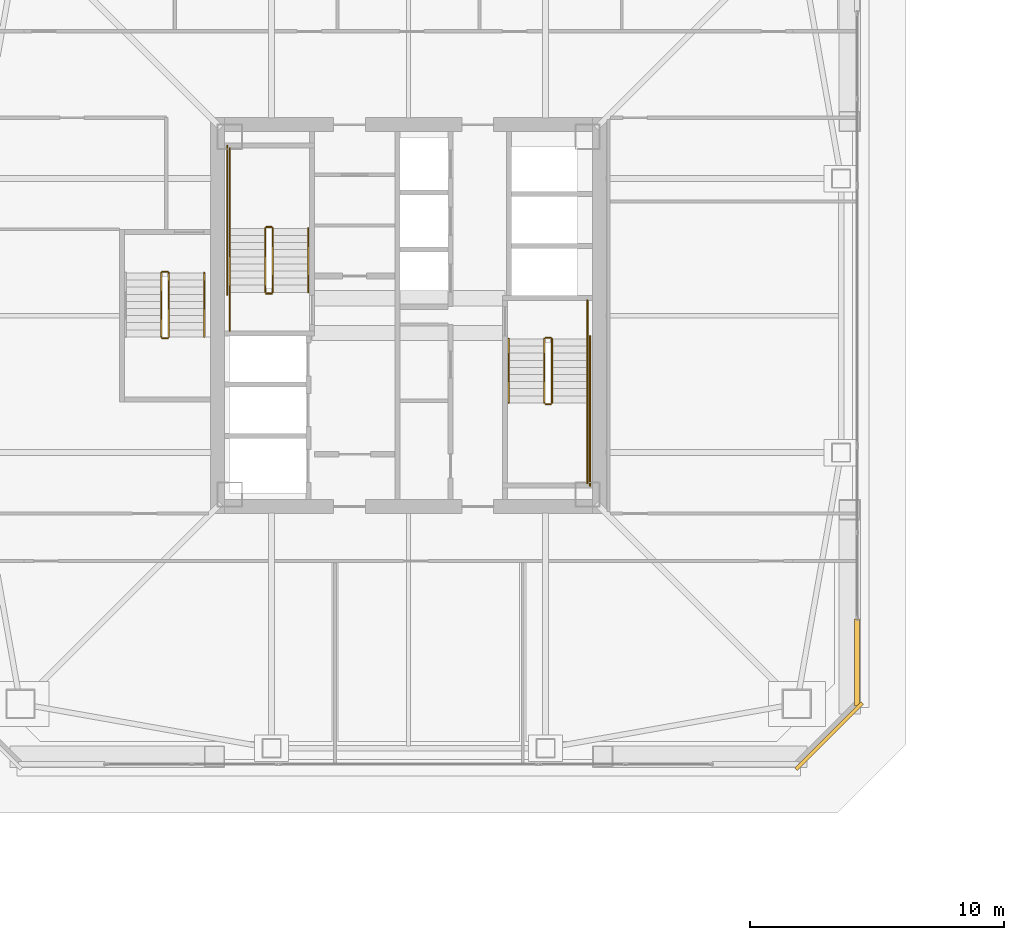
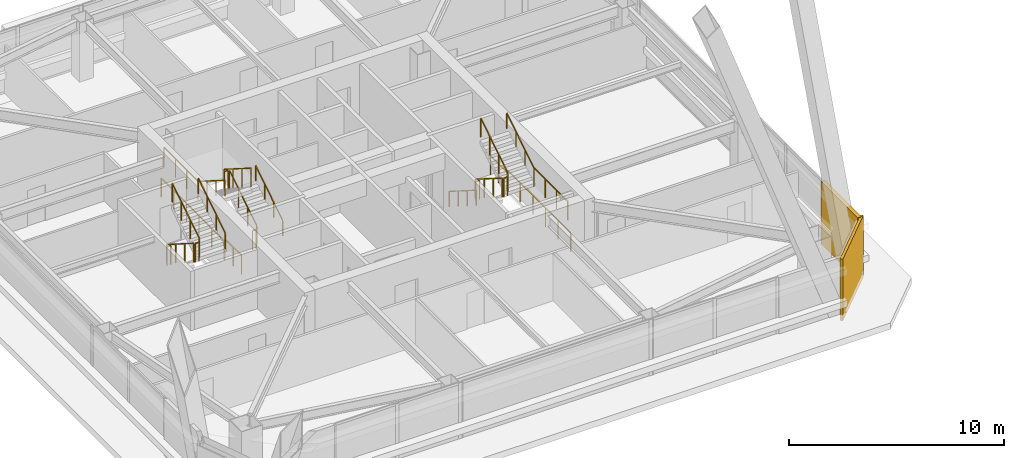
# One storey, part 61 of 65: 23 railings, 2 coverings.
"""IFC4 building model written with IfcOpenShell, lengths in metres."""

import ifcopenshell
import ifcopenshell.guid

model = None  # the IFC model being written
_history = None  # IfcOwnerHistory: only IFC2X3 demands one
_inside = {}  # id of a spatial element -> (the spatial element, [elements in it])
_under = {}  # id of a project, library or spatial element -> (it, [spatial elements below it])
_declared = {}  # id of a project -> (the project, [libraries it declares])
_typed = {}  # id of a type object -> (the type object, [elements of that type])
_made_of = {}  # id of a material, layer set ... -> (it, [elements and type objects made of it])


def new_model(schema):
    """Start an empty IFC model of exactly this schema.

    Asked for "IFC4X3", IfcOpenShell would pick the latest addendum, in which some entities
    have other attributes; the version numbers below select the first issue.
    IFC2X3 requires an IfcOwnerHistory on every rooted entity: one is made here for all.
    """
    global model, _history
    if schema == "IFC4X3":
        model = ifcopenshell.file(schema_version=(4, 3, 0, 0))
    else:
        model = ifcopenshell.file(schema=schema)
    _inside.clear()
    _under.clear()
    _declared.clear()
    _typed.clear()
    _made_of.clear()
    _history = None
    if model.schema == "IFC2X3":
        org = make("IfcOrganization", Name="unknown")
        user = make(
            "IfcPersonAndOrganization",
            ThePerson=make("IfcPerson", FamilyName="unknown"),
            TheOrganization=org,
        )
        app = make(
            "IfcApplication",
            ApplicationDeveloper=org,
            Version="unknown",
            ApplicationFullName="unknown",
            ApplicationIdentifier="unknown",
        )
        _history = make(
            "IfcOwnerHistory",
            OwningUser=user,
            OwningApplication=app,
            ChangeAction="ADDED",
            CreationDate=0,
        )
    return model


def make(cls, **values):
    """One entity of the class cls with the attributes given. An attribute that is None is left unset."""
    return model.create_entity(
        cls, **{name: value for name, value in values.items() if value is not None}
    )


def rooted(cls, **values):
    """An entity with a GlobalId (a new one), such as an element, a storey or a relation."""
    return make(cls, GlobalId=ifcopenshell.guid.new(), OwnerHistory=_history, **values)


def si_unit(unit_type, name, prefix=None):
    """IfcSIUnit, for example si_unit("LENGTHUNIT", "METRE", prefix="MILLI")."""
    return make("IfcSIUnit", UnitType=unit_type, Prefix=prefix, Name=name)


def assignment(units):
    """IfcUnitAssignment: the units of a project."""
    return None if units is None else make("IfcUnitAssignment", Units=units)


def point(xyz):
    """IfcCartesianPoint."""
    return None if xyz is None else make("IfcCartesianPoint", Coordinates=xyz)


def direction(xyz):
    """IfcDirection."""
    return None if xyz is None else make("IfcDirection", DirectionRatios=xyz)


def frame(location, z_axis=None, x_axis=None):
    """IfcAxis2Placement3D, a coordinate frame: its origin and axes. An axis left out is left unset."""
    return make(
        "IfcAxis2Placement3D",
        Location=point(location),
        Axis=direction(z_axis),
        RefDirection=direction(x_axis),
    )


def frame_2d(location, x_axis=None):
    """IfcAxis2Placement2D, a coordinate frame in the plane: its origin and x axis."""
    return make(
        "IfcAxis2Placement2D", Location=point(location), RefDirection=direction(x_axis)
    )


def origin():
    """The frame at (0, 0, 0) with its axes left unset."""
    return frame((0.0, 0.0, 0.0))


def origin_2d():
    """The frame at (0, 0) in the plane with its x axis left unset."""
    return frame_2d((0.0, 0.0))


def place(relative_to, where):
    """IfcLocalPlacement: puts the frame where relative to a parent placement (None: the world)."""
    return make(
        "IfcLocalPlacement", PlacementRelTo=relative_to, RelativePlacement=where
    )


def context(
    kind, dimensions, precision=None, world=None, true_north=None, identifier=None
):
    """IfcGeometricRepresentationContext, for example the 3D "Model" context."""
    return make(
        "IfcGeometricRepresentationContext",
        ContextIdentifier=identifier,
        ContextType=kind,
        CoordinateSpaceDimension=dimensions,
        Precision=precision,
        WorldCoordinateSystem=world,
        TrueNorth=true_north,
    )


def subcontext(parent, identifier, kind, view, scale=None):
    """IfcGeometricRepresentationSubContext, for example "Body" below "Model"."""
    return make(
        "IfcGeometricRepresentationSubContext",
        ContextIdentifier=identifier,
        ContextType=kind,
        ParentContext=parent,
        TargetScale=scale,
        TargetView=view,
    )


def project(units=None, contexts=None):
    """IfcProject with its units and contexts."""
    return rooted(
        "IfcProject",
        Name="project",
        RepresentationContexts=contexts,
        UnitsInContext=assignment(units),
    )


def spatial(cls, under=None, at=None, **own):
    """A site, building, storey or space (cls), placed at a placement, below another one or the project."""
    s = rooted(cls, ObjectPlacement=at, **own)
    if under is not None:
        _under.setdefault(under.id(), (under, []))[1].append(s)
    return s


def profile(cls, at=None, kind="AREA", **sizes):
    """A parametric profile (cls). Its sizes go by their IFC names, for example OverallWidth=200.0."""
    return make(cls, ProfileType=kind, Position=at, **sizes)


def rectangle(**sizes):
    """IfcRectangleProfileDef."""
    return profile("IfcRectangleProfileDef", **sizes)


def extrude(swept, where, along, depth):
    """IfcExtrudedAreaSolid: the profile swept, set in the frame where, extruded along a direction by depth."""
    return make(
        "IfcExtrudedAreaSolid",
        SweptArea=swept,
        Position=where,
        ExtrudedDirection=direction(along),
        Depth=depth,
    )


def shape(context_of_items, identifier, shape_type, items):
    """IfcShapeRepresentation: the items that make up one representation, for example the "Body"."""
    return make(
        "IfcShapeRepresentation",
        ContextOfItems=context_of_items,
        RepresentationIdentifier=identifier,
        RepresentationType=shape_type,
        Items=items,
    )


def material(Name=None, Category=None):
    """IfcMaterial."""
    return make("IfcMaterial", Name=Name, Category=Category)


def layer(
    of_material, thickness, ventilated=None, Name=None, Category=None, Priority=None
):
    """IfcMaterialLayer: one layer of a wall or slab, of a material (None: an air gap)."""
    return make(
        "IfcMaterialLayer",
        Material=of_material,
        LayerThickness=thickness,
        IsVentilated=ventilated,
        Name=Name,
        Category=Category,
        Priority=Priority,
    )


def layer_set(layers, Name=None):
    """IfcMaterialLayerSet."""
    return make("IfcMaterialLayerSet", MaterialLayers=layers, LayerSetName=Name)


def made_of(thing, what):
    """Note that an element or type object is made of a material, layer set ...; save() writes the relation."""
    if what is not None:
        _made_of.setdefault(what.id(), (what, []))[1].append(thing)
    return thing


def type_object(cls, material=None, **own):
    """A type object (cls), such as IfcWallType, which elements share."""
    return made_of(rooted(cls, **own), material)


def element(
    cls,
    number,
    at=None,
    inside=None,
    cuts=None,
    type_object=None,
    material=None,
    context=None,
    identifier="Body",
    shape_type=None,
    held_by="IfcProductDefinitionShape",
    body=None,
    shapes=None,
    **own,
):
    """One element of the class cls, such as IfcWall. Its Tag is "e" and its number.

    at: its placement. inside: the storey or other place that contains it. cuts: it is an
    opening in that element (IfcRelVoidsElement). A single representation is given by context,
    identifier, shape_type and body (its items); several are given by shapes. held_by: the class
    of the entity that holds the representations. save() writes the other relations.
    """
    e = rooted(cls, Tag="e%d" % number, ObjectPlacement=at, **own)
    if body is not None:
        shapes = [shape(context, identifier, shape_type, body)]
    if shapes is not None:
        e.Representation = make(held_by, Representations=shapes)
    if inside is not None:
        _inside.setdefault(inside.id(), (inside, []))[1].append(e)
    if cuts is not None:
        rooted(
            "IfcRelVoidsElement", RelatingBuildingElement=cuts, RelatedOpeningElement=e
        )
    if type_object is not None:
        _typed.setdefault(type_object.id(), (type_object, []))[1].append(e)
    return made_of(e, material)


def aggregate(whole, parts):
    """IfcRelAggregates: a whole, such as a stair, and the parts it consists of."""
    return rooted("IfcRelAggregates", RelatingObject=whole, RelatedObjects=parts)


def save(model, path):
    """Write the relations noted so far, then the file.

    IfcRelAggregates (storeys below a building ...), IfcRelContainedInSpatialStructure (elements
    in a storey), IfcRelDefinesByType, IfcRelAssociatesMaterial and IfcRelDeclares: one each for
    every whole, place, type object, material and project.
    """
    for whole, parts in _under.values():
        aggregate(whole, parts)
    for where, things in _inside.values():
        rooted(
            "IfcRelContainedInSpatialStructure",
            RelatedElements=things,
            RelatingStructure=where,
        )
    for kind, things in _typed.values():
        rooted("IfcRelDefinesByType", RelatedObjects=things, RelatingType=kind)
    for what, things in _made_of.values():
        rooted("IfcRelAssociatesMaterial", RelatedObjects=things, RelatingMaterial=what)
    for by, libraries in _declared.values():
        rooted("IfcRelDeclares", RelatingContext=by, RelatedDefinitions=libraries)
    model.write(path)


model = new_model("IFC4")

# Units and contexts
model_context = context("Model", 3, precision=1e-05, world=origin(), true_north=direction((0.0, 1.0)))
body_context = subcontext(model_context, "Body", "Model", "MODEL_VIEW")
ifc_project = project(units=[si_unit("LENGTHUNIT", "METRE"), si_unit("AREAUNIT", "SQUARE_METRE"), si_unit("VOLUMEUNIT", "CUBIC_METRE"), si_unit("PLANEANGLEUNIT", "RADIAN"), si_unit("MASSUNIT", "GRAM", prefix="KILO")], contexts=[model_context])

# Site, building, storey
site_placement = place(None, origin())
site = spatial("IfcSite", under=ifc_project, at=site_placement, CompositionType="ELEMENT")
building_placement = place(site_placement, origin())
building = spatial("IfcBuilding", under=site, at=building_placement, Name="Tashvorn Skyway Center", CompositionType="ELEMENT")
storey_placement = place(building_placement, frame((0.0, 0.0, 157.0)))
storey = spatial("IfcBuildingStorey", under=building, at=storey_placement, Name="L42", CompositionType="ELEMENT", Elevation=157.0)

# Coverings
ifc_material_1 = material(Name="Precast concrete C40/50", Category="concrete")
ifc_layer_1 = layer(ifc_material_1, 0.199951171875)
ifc_layer_set_1 = layer_set([ifc_layer_1], Name="Precast concrete C40/50")
covering_type_1 = type_object("IfcCoveringType", Name="COV-BRACE-CLAD", PredefinedType="CLADDING", material=ifc_layer_set_1)
covering_1_placement = place(storey_placement, frame((59.679931640625, 18.328857421875, 0.0), z_axis=(0.0, 0.0, 1.0), x_axis=(0.0, -1.0, 0.0)))
element("IfcCovering", 1, at=covering_1_placement, inside=storey, type_object=covering_type_1, Name="Tower 1 L42 East Unitised Curtain Wall Mega-Brace Cladding Band 2", PredefinedType="CLADDING", context=body_context, shape_type="SweptSolid", body=[
    extrude(rectangle(XDim=3.417724609375, YDim=0.199951171875, at=origin_2d()), origin(), (0.0, 0.0, 1.0), 3.550048828125),
])
ifc_layer_2 = layer(ifc_material_1, 0.35009765625)
ifc_layer_set_2 = layer_set([ifc_layer_2], Name="Precast concrete C40/50")
covering_type_2 = type_object("IfcCoveringType", Name="COV-STONE-TRIM", PredefinedType="CLADDING", material=ifc_layer_set_2)
covering_2_placement = place(storey_placement, frame((58.570068359375, 15.429931640625, 0.02001953125), z_axis=(0.0, 0.0, 1.0), x_axis=(0.707106781187, 0.707106781187, 0.0)))
element("IfcCovering", 2, at=covering_2_placement, inside=storey, type_object=covering_type_2, Name="Tower 1 L42 SE Mojave Limestone Corner Quoin", PredefinedType="CLADDING", context=body_context, shape_type="SweptSolid", body=[
    extrude(rectangle(XDim=3.695556640625, YDim=0.139892578125, at=origin_2d()), origin(), (0.0, 0.0, 1.0), 3.510009765625),
])

# Railings
ifc_material_2 = material(Name="Brushed stainless steel 316", Category="steel")
railing_type_1 = type_object("IfcRailingType", Name="RAIL-HAND-920", PredefinedType="HANDRAIL", material=ifc_material_2)
railing_1_placement = place(storey_placement, frame((38.050048828125, 32.919921875, 0.177490234375)))
element("IfcRailing", 3, at=railing_1_placement, inside=storey, type_object=railing_type_1, Name="L42 ST-T1-1 stair handrail 1", PredefinedType="HANDRAIL", context=body_context, shape_type="SweptSolid", body=[
    extrude(rectangle(XDim=0.048095703125, YDim=0.048095703125, at=origin_2d()), frame((0.0, 0.0, 0.8759765625), z_axis=(0.0, 0.84460694969, 0.535386869969), x_axis=(-1.0, 0.0, 0.0)), (0.0, 0.0, 1.0), 2.983642578125),
    extrude(rectangle(XDim=0.0419921875, YDim=0.0419921875, at=origin_2d()), origin(), (0.0, 0.0, 1.0), 0.851806640625),
    extrude(rectangle(XDim=0.0419921875, YDim=0.0419921875, at=origin_2d()), frame((0.0, 0.840087890625, 0.532470703125)), (0.0, 0.0, 1.0), 0.851806640625),
    extrude(rectangle(XDim=0.0419921875, YDim=0.0419921875, at=origin_2d()), frame((0.0, 1.679931640625, 1.06494140625)), (0.0, 0.0, 1.0), 0.851806640625),
    extrude(rectangle(XDim=0.0419921875, YDim=0.0419921875, at=origin_2d()), frame((0.0, 2.52001953125, 1.597412109375)), (0.0, 0.0, 1.0), 0.851806640625),
])
railing_2_placement = place(storey_placement, frame((34.949951171875, 35.43994140625, 1.952392578125)))
element("IfcRailing", 4, at=railing_2_placement, inside=storey, type_object=railing_type_1, Name="L42 ST-T1-1 stair handrail 2", PredefinedType="HANDRAIL", context=body_context, shape_type="SweptSolid", body=[
    extrude(rectangle(XDim=0.048095703125, YDim=0.048095703125, at=origin_2d()), frame((0.0, 0.0, 0.8759765625), z_axis=(0.0, -0.84456994832, 0.535445237532), x_axis=(1.0, 0.0, 0.0)), (0.0, 0.0, 1.0), 2.98388671875),
    extrude(rectangle(XDim=0.0419921875, YDim=0.0419921875, at=origin_2d()), origin(), (0.0, 0.0, 1.0), 0.851806640625),
    extrude(rectangle(XDim=0.0419921875, YDim=0.0419921875, at=origin_2d()), frame((0.0, -0.840087890625, 0.532470703125)), (0.0, 0.0, 1.0), 0.851806640625),
    extrude(rectangle(XDim=0.0419921875, YDim=0.0419921875, at=origin_2d()), frame((0.0, -1.679931640625, 1.065185546875)), (0.0, 0.0, 1.0), 0.851806640625),
    extrude(rectangle(XDim=0.0419921875, YDim=0.0419921875, at=origin_2d()), frame((0.0, -2.52001953125, 1.59765625)), (0.0, 0.0, 1.0), 0.851806640625),
])
railing_3_placement = place(storey_placement, frame((45.949951171875, 31.080078125, 0.177490234375)))
element("IfcRailing", 5, at=railing_3_placement, inside=storey, type_object=railing_type_1, Name="L42 ST-T1-2 stair handrail 1", PredefinedType="HANDRAIL", context=body_context, shape_type="SweptSolid", body=[
    extrude(rectangle(XDim=0.048095703125, YDim=0.048095703125, at=origin_2d()), frame((0.0, 0.0, 0.8759765625), z_axis=(0.0, -0.84460694969, 0.535386869969), x_axis=(1.0, 0.0, 0.0)), (0.0, 0.0, 1.0), 2.983642578125),
    extrude(rectangle(XDim=0.0419921875, YDim=0.0419921875, at=origin_2d()), origin(), (0.0, 0.0, 1.0), 0.851806640625),
    extrude(rectangle(XDim=0.0419921875, YDim=0.0419921875, at=origin_2d()), frame((0.0, -0.840087890625, 0.532470703125)), (0.0, 0.0, 1.0), 0.851806640625),
    extrude(rectangle(XDim=0.0419921875, YDim=0.0419921875, at=origin_2d()), frame((0.0, -1.679931640625, 1.06494140625)), (0.0, 0.0, 1.0), 0.851806640625),
    extrude(rectangle(XDim=0.0419921875, YDim=0.0419921875, at=origin_2d()), frame((0.0, -2.52001953125, 1.597412109375)), (0.0, 0.0, 1.0), 0.851806640625),
])
for number, where, name in (
    (6, (49.050048828125, 28.56005859375, 1.952392578125), "L42 ST-T1-2 stair handrail 2"),
    (7, (33.949951171875, 31.159912109375, 1.952392578125), "L42 ST-T1-3 stair handrail 2"),
):
    element("IfcRailing", number, at=place(storey_placement, frame(where)), inside=storey, type_object=railing_type_1, Name=name, PredefinedType="HANDRAIL", context=body_context, shape_type="SweptSolid", body=[
        extrude(rectangle(XDim=0.048095703125, YDim=0.048095703125, at=origin_2d()), frame((0.0, 0.0, 0.8759765625), z_axis=(0.0, 0.84456994832, 0.535445237532), x_axis=(-1.0, 0.0, 0.0)), (0.0, 0.0, 1.0), 2.98388671875),
        extrude(rectangle(XDim=0.0419921875, YDim=0.0419921875, at=origin_2d()), origin(), (0.0, 0.0, 1.0), 0.851806640625),
        extrude(rectangle(XDim=0.0419921875, YDim=0.0419921875, at=origin_2d()), frame((0.0, 0.840087890625, 0.532470703125)), (0.0, 0.0, 1.0), 0.851806640625),
        extrude(rectangle(XDim=0.0419921875, YDim=0.0419921875, at=origin_2d()), frame((0.0, 1.679931640625, 1.065185546875)), (0.0, 0.0, 1.0), 0.851806640625),
        extrude(rectangle(XDim=0.0419921875, YDim=0.0419921875, at=origin_2d()), frame((0.0, 2.52001953125, 1.59765625)), (0.0, 0.0, 1.0), 0.851806640625),
    ])
ifc_material_3 = material(Name="Painted galvanized steel S355", Category="steel")
railing_type_2 = type_object("IfcRailingType", Name="RAIL-STGUARD-1100", PredefinedType="GUARDRAIL", material=ifc_material_3)
railing_4_placement = place(storey_placement, frame((36.64990234375, 32.919921875, 0.177490234375)))
element("IfcRailing", 8, at=railing_4_placement, inside=storey, type_object=railing_type_2, Name="L42 ST-T1-1 stair guard 1", PredefinedType="GUARDRAIL", context=body_context, shape_type="SweptSolid", body=[
    extrude(rectangle(XDim=0.048095703125, YDim=0.048095703125, at=origin_2d()), frame((0.0, 0.0, 1.076171875), z_axis=(0.0, 0.84460694969, 0.535386869969), x_axis=(-1.0, 0.0, 0.0)), (0.0, 0.0, 1.0), 2.983642578125),
    extrude(rectangle(XDim=0.0419921875, YDim=0.0419921875, at=origin_2d()), origin(), (0.0, 0.0, 1.0), 1.052001953125),
    extrude(rectangle(XDim=0.0419921875, YDim=0.0419921875, at=origin_2d()), frame((0.0, 0.840087890625, 0.532470703125)), (0.0, 0.0, 1.0), 1.052001953125),
    extrude(rectangle(XDim=0.0419921875, YDim=0.0419921875, at=origin_2d()), frame((0.0, 1.679931640625, 1.06494140625)), (0.0, 0.0, 1.0), 1.052001953125),
    extrude(rectangle(XDim=0.0419921875, YDim=0.0419921875, at=origin_2d()), frame((0.0, 2.52001953125, 1.597412109375)), (0.0, 0.0, 1.0), 1.052001953125),
])
railing_5_placement = place(storey_placement, frame((36.60009765625, 35.489990234375, 1.77490234375)))
element("IfcRailing", 9, at=railing_5_placement, inside=storey, type_object=railing_type_2, Name="L42 ST-T1-1 stair guard 2", PredefinedType="GUARDRAIL", context=body_context, shape_type="SweptSolid", body=[
    extrude(rectangle(XDim=0.048095703125, YDim=0.048095703125, at=origin_2d()), frame((0.0, 0.0, 1.076171875), z_axis=(-1.0, 0.0, 0.0), x_axis=(0.0, -1.0, 0.0)), (0.0, 0.0, 1.0), 0.2001953125),
    extrude(rectangle(XDim=0.0419921875, YDim=0.0419921875, at=origin_2d()), origin(), (0.0, 0.0, 1.0), 1.052001953125),
    extrude(rectangle(XDim=0.0419921875, YDim=0.0419921875, at=origin_2d()), frame((-0.2001953125, 0.0, 0.0)), (0.0, 0.0, 1.0), 1.052001953125),
])
railing_6_placement = place(storey_placement, frame((34.949951171875, 35.43994140625, 1.77490234375)))
element("IfcRailing", 10, at=railing_6_placement, inside=storey, type_object=railing_type_2, Name="L42 ST-T1-1 stair guard 3", PredefinedType="GUARDRAIL", context=body_context, shape_type="SweptSolid", body=[
    extrude(rectangle(XDim=0.048095703125, YDim=0.048095703125, at=origin_2d()), frame((0.0, 0.0, 1.076171875), z_axis=(0.0, 1.0, 0.0), x_axis=(-1.0, 0.0, 0.0)), (0.0, 0.0, 1.0), 3.16015625),
    extrude(rectangle(XDim=0.0419921875, YDim=0.0419921875, at=origin_2d()), origin(), (0.0, 0.0, 1.0), 1.052001953125),
    extrude(rectangle(XDim=0.0419921875, YDim=0.0419921875, at=origin_2d()), frame((0.0, 1.053466796875, 0.0)), (0.0, 0.0, 1.0), 1.052001953125),
    extrude(rectangle(XDim=0.0419921875, YDim=0.0419921875, at=origin_2d()), frame((0.0, 2.106689453125, 0.0)), (0.0, 0.0, 1.0), 1.052001953125),
    extrude(rectangle(XDim=0.0419921875, YDim=0.0419921875, at=origin_2d()), frame((0.0, 3.16015625, 0.0)), (0.0, 0.0, 1.0), 1.052001953125),
])
railing_7_placement = place(storey_placement, frame((36.35009765625, 35.43994140625, 1.952392578125)))
element("IfcRailing", 11, at=railing_7_placement, inside=storey, type_object=railing_type_2, Name="L42 ST-T1-1 stair guard 4", PredefinedType="GUARDRAIL", context=body_context, shape_type="SweptSolid", body=[
    extrude(rectangle(XDim=0.048095703125, YDim=0.048095703125, at=origin_2d()), frame((0.0, 0.0, 1.076171875), z_axis=(0.0, -0.84456994832, 0.535445237532), x_axis=(1.0, 0.0, 0.0)), (0.0, 0.0, 1.0), 2.98388671875),
    extrude(rectangle(XDim=0.0419921875, YDim=0.0419921875, at=origin_2d()), origin(), (0.0, 0.0, 1.0), 1.052001953125),
    extrude(rectangle(XDim=0.0419921875, YDim=0.0419921875, at=origin_2d()), frame((0.0, -0.840087890625, 0.532470703125)), (0.0, 0.0, 1.0), 1.052001953125),
    extrude(rectangle(XDim=0.0419921875, YDim=0.0419921875, at=origin_2d()), frame((0.0, -1.679931640625, 1.065185546875)), (0.0, 0.0, 1.0), 1.052001953125),
    extrude(rectangle(XDim=0.0419921875, YDim=0.0419921875, at=origin_2d()), frame((0.0, -2.52001953125, 1.59765625)), (0.0, 0.0, 1.0), 1.052001953125),
])
railing_8_placement = place(storey_placement, frame((36.60009765625, 32.8701171875, 0.0)))
element("IfcRailing", 12, at=railing_8_placement, inside=storey, type_object=railing_type_2, Name="L42 ST-T1-1 stair guard 5", PredefinedType="GUARDRAIL", context=body_context, shape_type="SweptSolid", body=[
    extrude(rectangle(XDim=0.048095703125, YDim=0.048095703125, at=origin_2d()), frame((0.0, 0.0, 1.076171875), z_axis=(-1.0, 0.0, 0.0), x_axis=(0.0, -1.0, 0.0)), (0.0, 0.0, 1.0), 0.2001953125),
    extrude(rectangle(XDim=0.0419921875, YDim=0.0419921875, at=origin_2d()), origin(), (0.0, 0.0, 1.0), 1.052001953125),
    extrude(rectangle(XDim=0.0419921875, YDim=0.0419921875, at=origin_2d()), frame((-0.2001953125, 0.0, 0.0)), (0.0, 0.0, 1.0), 1.052001953125),
])
railing_9_placement = place(storey_placement, frame((34.949951171875, 31.39990234375, 0.0)))
element("IfcRailing", 13, at=railing_9_placement, inside=storey, type_object=railing_type_2, Name="L42 ST-T1-1 stair guard 6", PredefinedType="GUARDRAIL", context=body_context, shape_type="SweptSolid", body=[
    extrude(rectangle(XDim=0.048095703125, YDim=0.048095703125, at=origin_2d()), frame((0.0, 0.0, 1.076171875), z_axis=(0.0, 1.0, 0.0), x_axis=(-1.0, 0.0, 0.0)), (0.0, 0.0, 1.0), 1.52001953125),
    extrude(rectangle(XDim=0.0419921875, YDim=0.0419921875, at=origin_2d()), origin(), (0.0, 0.0, 1.0), 1.052001953125),
    extrude(rectangle(XDim=0.0419921875, YDim=0.0419921875, at=origin_2d()), frame((0.0, 0.760009765625, 0.0)), (0.0, 0.0, 1.0), 1.052001953125),
    extrude(rectangle(XDim=0.0419921875, YDim=0.0419921875, at=origin_2d()), frame((0.0, 1.52001953125, 0.0)), (0.0, 0.0, 1.0), 1.052001953125),
])
railing_10_placement = place(storey_placement, frame((34.85009765625, 32.820068359375, 0.0)))
element("IfcRailing", 14, at=railing_10_placement, inside=storey, type_object=railing_type_2, Name="L42 ST-T1-1 stair guard 7", PredefinedType="GUARDRAIL", context=body_context, shape_type="SweptSolid", body=[
    extrude(rectangle(XDim=0.048095703125, YDim=0.048095703125, at=origin_2d()), frame((0.0, 0.0, 1.076171875), z_axis=(0.0, 1.0, 0.0), x_axis=(-1.0, 0.0, 0.0)), (0.0, 0.0, 1.0), 5.8798828125),
    extrude(rectangle(XDim=0.0419921875, YDim=0.0419921875, at=origin_2d()), origin(), (0.0, 0.0, 1.0), 1.052001953125),
    extrude(rectangle(XDim=0.0419921875, YDim=0.0419921875, at=origin_2d()), frame((0.0, 1.176025390625, 0.0)), (0.0, 0.0, 1.0), 1.052001953125),
    extrude(rectangle(XDim=0.0419921875, YDim=0.0419921875, at=origin_2d()), frame((0.0, 2.35205078125, 0.0)), (0.0, 0.0, 1.0), 1.052001953125),
    extrude(rectangle(XDim=0.0419921875, YDim=0.0419921875, at=origin_2d()), frame((0.0, 3.52783203125, 0.0)), (0.0, 0.0, 1.0), 1.052001953125),
    extrude(rectangle(XDim=0.0419921875, YDim=0.0419921875, at=origin_2d()), frame((0.0, 4.703857421875, 0.0)), (0.0, 0.0, 1.0), 1.052001953125),
    extrude(rectangle(XDim=0.0419921875, YDim=0.0419921875, at=origin_2d()), frame((0.0, 5.8798828125, 0.0)), (0.0, 0.0, 1.0), 1.052001953125),
])
railing_11_placement = place(storey_placement, frame((47.35009765625, 31.080078125, 0.177490234375)))
element("IfcRailing", 15, at=railing_11_placement, inside=storey, type_object=railing_type_2, Name="L42 ST-T1-2 stair guard 1", PredefinedType="GUARDRAIL", context=body_context, shape_type="SweptSolid", body=[
    extrude(rectangle(XDim=0.048095703125, YDim=0.048095703125, at=origin_2d()), frame((0.0, 0.0, 1.076171875), z_axis=(0.0, -0.84460694969, 0.535386869969), x_axis=(1.0, 0.0, 0.0)), (0.0, 0.0, 1.0), 2.983642578125),
    extrude(rectangle(XDim=0.0419921875, YDim=0.0419921875, at=origin_2d()), origin(), (0.0, 0.0, 1.0), 1.052001953125),
    extrude(rectangle(XDim=0.0419921875, YDim=0.0419921875, at=origin_2d()), frame((0.0, -0.840087890625, 0.532470703125)), (0.0, 0.0, 1.0), 1.052001953125),
    extrude(rectangle(XDim=0.0419921875, YDim=0.0419921875, at=origin_2d()), frame((0.0, -1.679931640625, 1.06494140625)), (0.0, 0.0, 1.0), 1.052001953125),
    extrude(rectangle(XDim=0.0419921875, YDim=0.0419921875, at=origin_2d()), frame((0.0, -2.52001953125, 1.597412109375)), (0.0, 0.0, 1.0), 1.052001953125),
])
railing_12_placement = place(storey_placement, frame((47.39990234375, 28.510009765625, 1.77490234375)))
element("IfcRailing", 16, at=railing_12_placement, inside=storey, type_object=railing_type_2, Name="L42 ST-T1-2 stair guard 2", PredefinedType="GUARDRAIL", context=body_context, shape_type="SweptSolid", body=[
    extrude(rectangle(XDim=0.048095703125, YDim=0.048095703125, at=origin_2d()), frame((0.0, 0.0, 1.076171875), z_axis=(1.0, 0.0, 0.0), x_axis=(0.0, 1.0, 0.0)), (0.0, 0.0, 1.0), 0.2001953125),
    extrude(rectangle(XDim=0.0419921875, YDim=0.0419921875, at=origin_2d()), origin(), (0.0, 0.0, 1.0), 1.052001953125),
    extrude(rectangle(XDim=0.0419921875, YDim=0.0419921875, at=origin_2d()), frame((0.2001953125, 0.0, 0.0)), (0.0, 0.0, 1.0), 1.052001953125),
])
railing_13_placement = place(storey_placement, frame((49.050048828125, 28.56005859375, 1.77490234375)))
element("IfcRailing", 17, at=railing_13_placement, inside=storey, type_object=railing_type_2, Name="L42 ST-T1-2 stair guard 3", PredefinedType="GUARDRAIL", context=body_context, shape_type="SweptSolid", body=[
    extrude(rectangle(XDim=0.048095703125, YDim=0.048095703125, at=origin_2d()), frame((0.0, 0.0, 1.076171875), z_axis=(0.0, -1.0, 0.0), x_axis=(1.0, 0.0, 0.0)), (0.0, 0.0, 1.0), 3.16015625),
    extrude(rectangle(XDim=0.0419921875, YDim=0.0419921875, at=origin_2d()), origin(), (0.0, 0.0, 1.0), 1.052001953125),
    extrude(rectangle(XDim=0.0419921875, YDim=0.0419921875, at=origin_2d()), frame((0.0, -1.053466796875, 0.0)), (0.0, 0.0, 1.0), 1.052001953125),
    extrude(rectangle(XDim=0.0419921875, YDim=0.0419921875, at=origin_2d()), frame((0.0, -2.106689453125, 0.0)), (0.0, 0.0, 1.0), 1.052001953125),
    extrude(rectangle(XDim=0.0419921875, YDim=0.0419921875, at=origin_2d()), frame((0.0, -3.16015625, 0.0)), (0.0, 0.0, 1.0), 1.052001953125),
])
railing_14_placement = place(storey_placement, frame((47.64990234375, 28.56005859375, 1.952392578125)))
element("IfcRailing", 18, at=railing_14_placement, inside=storey, type_object=railing_type_2, Name="L42 ST-T1-2 stair guard 4", PredefinedType="GUARDRAIL", context=body_context, shape_type="SweptSolid", body=[
    extrude(rectangle(XDim=0.048095703125, YDim=0.048095703125, at=origin_2d()), frame((0.0, 0.0, 1.076171875), z_axis=(0.0, 0.84456994832, 0.535445237532), x_axis=(-1.0, 0.0, 0.0)), (0.0, 0.0, 1.0), 2.98388671875),
    extrude(rectangle(XDim=0.0419921875, YDim=0.0419921875, at=origin_2d()), origin(), (0.0, 0.0, 1.0), 1.052001953125),
    extrude(rectangle(XDim=0.0419921875, YDim=0.0419921875, at=origin_2d()), frame((0.0, 0.840087890625, 0.532470703125)), (0.0, 0.0, 1.0), 1.052001953125),
    extrude(rectangle(XDim=0.0419921875, YDim=0.0419921875, at=origin_2d()), frame((0.0, 1.679931640625, 1.065185546875)), (0.0, 0.0, 1.0), 1.052001953125),
    extrude(rectangle(XDim=0.0419921875, YDim=0.0419921875, at=origin_2d()), frame((0.0, 2.52001953125, 1.59765625)), (0.0, 0.0, 1.0), 1.052001953125),
])
railing_15_placement = place(storey_placement, frame((47.39990234375, 31.1298828125, 0.0)))
element("IfcRailing", 19, at=railing_15_placement, inside=storey, type_object=railing_type_2, Name="L42 ST-T1-2 stair guard 5", PredefinedType="GUARDRAIL", context=body_context, shape_type="SweptSolid", body=[
    extrude(rectangle(XDim=0.048095703125, YDim=0.048095703125, at=origin_2d()), frame((0.0, 0.0, 1.076171875), z_axis=(1.0, 0.0, 0.0), x_axis=(0.0, 1.0, 0.0)), (0.0, 0.0, 1.0), 0.2001953125),
    extrude(rectangle(XDim=0.0419921875, YDim=0.0419921875, at=origin_2d()), origin(), (0.0, 0.0, 1.0), 1.052001953125),
    extrude(rectangle(XDim=0.0419921875, YDim=0.0419921875, at=origin_2d()), frame((0.2001953125, 0.0, 0.0)), (0.0, 0.0, 1.0), 1.052001953125),
])
railing_16_placement = place(storey_placement, frame((49.050048828125, 32.60009765625, 0.0)))
element("IfcRailing", 20, at=railing_16_placement, inside=storey, type_object=railing_type_2, Name="L42 ST-T1-2 stair guard 6", PredefinedType="GUARDRAIL", context=body_context, shape_type="SweptSolid", body=[
    extrude(rectangle(XDim=0.048095703125, YDim=0.048095703125, at=origin_2d()), frame((0.0, 0.0, 1.076171875), z_axis=(0.0, -1.0, 0.0), x_axis=(1.0, 0.0, 0.0)), (0.0, 0.0, 1.0), 1.52001953125),
    extrude(rectangle(XDim=0.0419921875, YDim=0.0419921875, at=origin_2d()), origin(), (0.0, 0.0, 1.0), 1.052001953125),
    extrude(rectangle(XDim=0.0419921875, YDim=0.0419921875, at=origin_2d()), frame((0.0, -0.760009765625, 0.0)), (0.0, 0.0, 1.0), 1.052001953125),
    extrude(rectangle(XDim=0.0419921875, YDim=0.0419921875, at=origin_2d()), frame((0.0, -1.52001953125, 0.0)), (0.0, 0.0, 1.0), 1.052001953125),
])
railing_17_placement = place(storey_placement, frame((49.14990234375, 31.179931640625, 0.0)))
element("IfcRailing", 21, at=railing_17_placement, inside=storey, type_object=railing_type_2, Name="L42 ST-T1-2 stair guard 7", PredefinedType="GUARDRAIL", context=body_context, shape_type="SweptSolid", body=[
    extrude(rectangle(XDim=0.048095703125, YDim=0.048095703125, at=origin_2d()), frame((0.0, 0.0, 1.076171875), z_axis=(0.0, -1.0, 0.0), x_axis=(1.0, 0.0, 0.0)), (0.0, 0.0, 1.0), 5.8798828125),
    extrude(rectangle(XDim=0.0419921875, YDim=0.0419921875, at=origin_2d()), origin(), (0.0, 0.0, 1.0), 1.052001953125),
    extrude(rectangle(XDim=0.0419921875, YDim=0.0419921875, at=origin_2d()), frame((0.0, -1.176025390625, 0.0)), (0.0, 0.0, 1.0), 1.052001953125),
    extrude(rectangle(XDim=0.0419921875, YDim=0.0419921875, at=origin_2d()), frame((0.0, -2.35205078125, 0.0)), (0.0, 0.0, 1.0), 1.052001953125),
    extrude(rectangle(XDim=0.0419921875, YDim=0.0419921875, at=origin_2d()), frame((0.0, -3.52783203125, 0.0)), (0.0, 0.0, 1.0), 1.052001953125),
    extrude(rectangle(XDim=0.0419921875, YDim=0.0419921875, at=origin_2d()), frame((0.0, -4.703857421875, 0.0)), (0.0, 0.0, 1.0), 1.052001953125),
    extrude(rectangle(XDim=0.0419921875, YDim=0.0419921875, at=origin_2d()), frame((0.0, -5.8798828125, 0.0)), (0.0, 0.0, 1.0), 1.052001953125),
])
railing_18_placement = place(storey_placement, frame((32.25, 33.679931640625, 0.177490234375)))
element("IfcRailing", 22, at=railing_18_placement, inside=storey, type_object=railing_type_2, Name="L42 ST-T1-3 stair guard 1", PredefinedType="GUARDRAIL", context=body_context, shape_type="SweptSolid", body=[
    extrude(rectangle(XDim=0.048095703125, YDim=0.048095703125, at=origin_2d()), frame((0.0, 0.0, 1.076171875), z_axis=(0.0, -0.84460694969, 0.535386869969), x_axis=(1.0, 0.0, 0.0)), (0.0, 0.0, 1.0), 2.983642578125),
    extrude(rectangle(XDim=0.0419921875, YDim=0.0419921875, at=origin_2d()), origin(), (0.0, 0.0, 1.0), 1.052001953125),
    extrude(rectangle(XDim=0.0419921875, YDim=0.0419921875, at=origin_2d()), frame((0.0, -0.840087890625, 0.532470703125)), (0.0, 0.0, 1.0), 1.052001953125),
    extrude(rectangle(XDim=0.0419921875, YDim=0.0419921875, at=origin_2d()), frame((0.0, -1.679931640625, 1.06494140625)), (0.0, 0.0, 1.0), 1.052001953125),
    extrude(rectangle(XDim=0.0419921875, YDim=0.0419921875, at=origin_2d()), frame((0.0, -2.52001953125, 1.597412109375)), (0.0, 0.0, 1.0), 1.052001953125),
])
railing_19_placement = place(storey_placement, frame((32.300048828125, 31.110107421875, 1.77490234375)))
element("IfcRailing", 23, at=railing_19_placement, inside=storey, type_object=railing_type_2, Name="L42 ST-T1-3 stair guard 2", PredefinedType="GUARDRAIL", context=body_context, shape_type="SweptSolid", body=[
    extrude(rectangle(XDim=0.048095703125, YDim=0.048095703125, at=origin_2d()), frame((0.0, 0.0, 1.076171875), z_axis=(1.0, 0.0, 0.0), x_axis=(0.0, 1.0, 0.0)), (0.0, 0.0, 1.0), 0.199951171875),
    extrude(rectangle(XDim=0.0419921875, YDim=0.0419921875, at=origin_2d()), origin(), (0.0, 0.0, 1.0), 1.052001953125),
    extrude(rectangle(XDim=0.0419921875, YDim=0.0419921875, at=origin_2d()), frame((0.199951171875, 0.0, 0.0)), (0.0, 0.0, 1.0), 1.052001953125),
])
railing_20_placement = place(storey_placement, frame((32.550048828125, 31.159912109375, 1.952392578125)))
element("IfcRailing", 24, at=railing_20_placement, inside=storey, type_object=railing_type_2, Name="L42 ST-T1-3 stair guard 3", PredefinedType="GUARDRAIL", context=body_context, shape_type="SweptSolid", body=[
    extrude(rectangle(XDim=0.048095703125, YDim=0.048095703125, at=origin_2d()), frame((0.0, 0.0, 1.076171875), z_axis=(0.0, 0.84456994832, 0.535445237532), x_axis=(-1.0, 0.0, 0.0)), (0.0, 0.0, 1.0), 2.98388671875),
    extrude(rectangle(XDim=0.0419921875, YDim=0.0419921875, at=origin_2d()), origin(), (0.0, 0.0, 1.0), 1.052001953125),
    extrude(rectangle(XDim=0.0419921875, YDim=0.0419921875, at=origin_2d()), frame((0.0, 0.840087890625, 0.532470703125)), (0.0, 0.0, 1.0), 1.052001953125),
    extrude(rectangle(XDim=0.0419921875, YDim=0.0419921875, at=origin_2d()), frame((0.0, 1.679931640625, 1.065185546875)), (0.0, 0.0, 1.0), 1.052001953125),
    extrude(rectangle(XDim=0.0419921875, YDim=0.0419921875, at=origin_2d()), frame((0.0, 2.52001953125, 1.59765625)), (0.0, 0.0, 1.0), 1.052001953125),
])
railing_21_placement = place(storey_placement, frame((32.300048828125, 33.72998046875, 0.0)))
element("IfcRailing", 25, at=railing_21_placement, inside=storey, type_object=railing_type_2, Name="L42 ST-T1-3 stair guard 4", PredefinedType="GUARDRAIL", context=body_context, shape_type="SweptSolid", body=[
    extrude(rectangle(XDim=0.048095703125, YDim=0.048095703125, at=origin_2d()), frame((0.0, 0.0, 1.076171875), z_axis=(1.0, 0.0, 0.0), x_axis=(0.0, 1.0, 0.0)), (0.0, 0.0, 1.0), 0.199951171875),
    extrude(rectangle(XDim=0.0419921875, YDim=0.0419921875, at=origin_2d()), origin(), (0.0, 0.0, 1.0), 1.052001953125),
    extrude(rectangle(XDim=0.0419921875, YDim=0.0419921875, at=origin_2d()), frame((0.199951171875, 0.0, 0.0)), (0.0, 0.0, 1.0), 1.052001953125),
])

save(model, "model.ifc")
